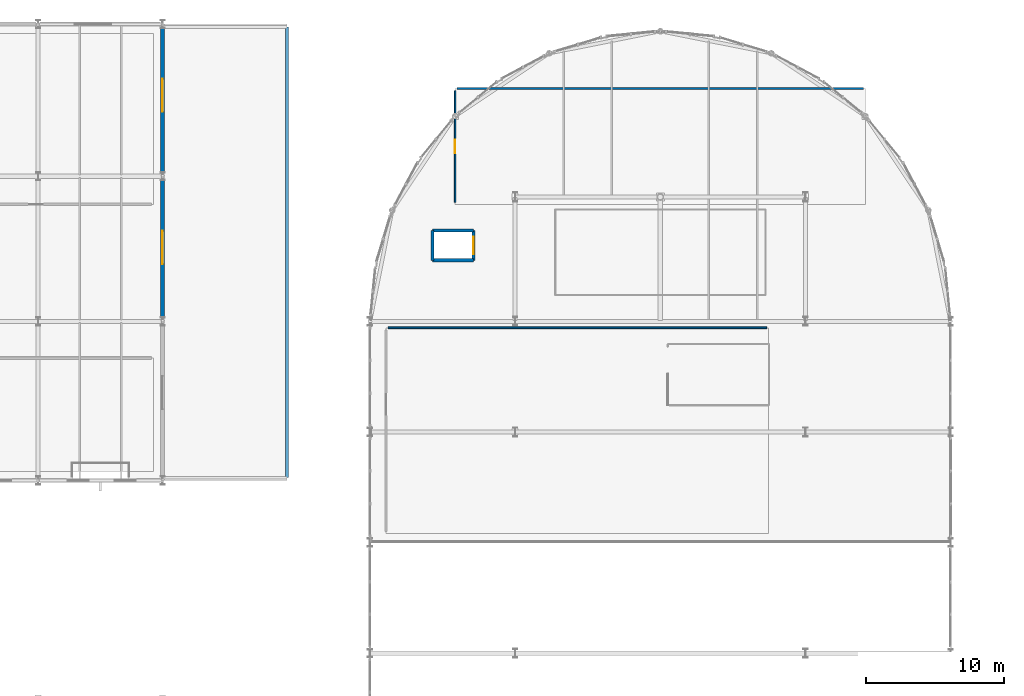
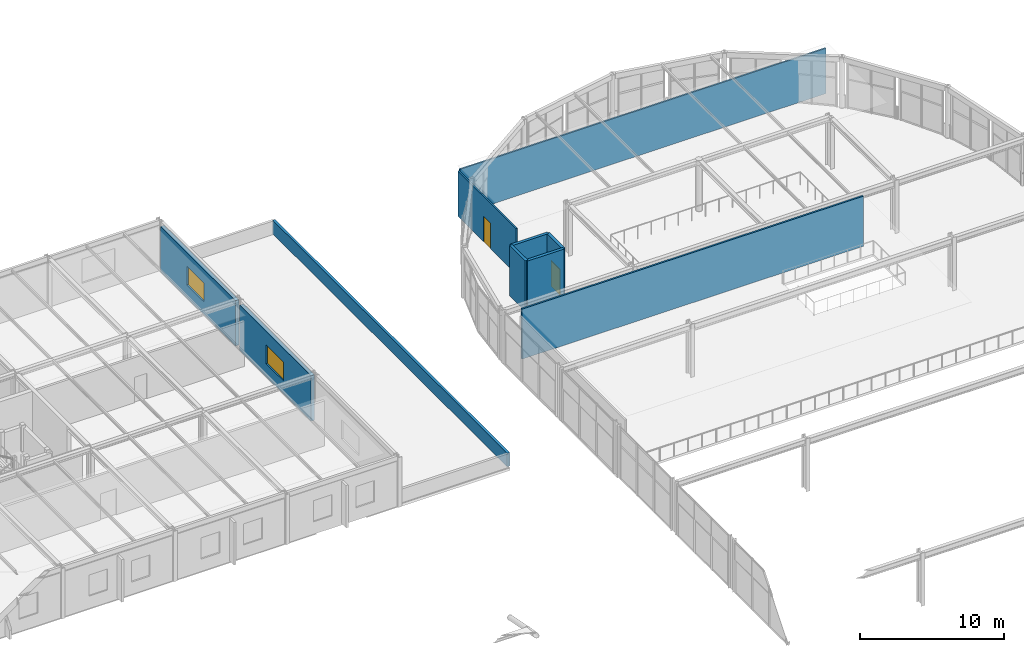
# One storey, part 61 of 105: 10 walls, 2 doors, 2 windows, 4 openings.
"""IFC4 building model written with IfcOpenShell, lengths in metres."""

from ifc_helpers import new_model, si_unit, direction, frame, frame_2d, origin, place, context, subcontext, project, spatial, rectangle, extrude, material, layer, layer_set, type_object, element, fill, save


model = new_model("IFC4")

# Units and contexts
model_context = context("Model", 3, precision=1e-05, world=origin(), true_north=direction((0.0, 1.0)))
body_context = subcontext(model_context, "Body", "Model", "MODEL_VIEW")
ifc_project = project(units=[si_unit("LENGTHUNIT", "METRE"), si_unit("AREAUNIT", "SQUARE_METRE"), si_unit("VOLUMEUNIT", "CUBIC_METRE"), si_unit("PLANEANGLEUNIT", "RADIAN"), si_unit("MASSUNIT", "GRAM", prefix="KILO")], contexts=[model_context])

# Site, building, storey
site_placement = place(None, origin())
site = spatial("IfcSite", under=ifc_project, at=site_placement, CompositionType="ELEMENT")
building_placement = place(site_placement, origin())
building = spatial("IfcBuilding", under=site, at=building_placement, Name="Marlcrest Central Station", CompositionType="ELEMENT")
storey_placement = place(building_placement, frame((0.0, 0.0, 15.0)))
storey = spatial("IfcBuildingStorey", under=building, at=storey_placement, Name="L03", CompositionType="ELEMENT", Elevation=15.0)

# Wall
ifc_material_1 = material(Name="Concrete C40/50", Category="concrete")
ifc_layer_1 = layer(ifc_material_1, 0.199951171875, Name="EP-01")
ifc_layer_set_1 = layer_set([ifc_layer_1], Name="Concrete C40/50")
wall_type_1 = type_object("IfcWallType", Name="EP-01", PredefinedType="PARAPET", material=ifc_layer_set_1)
wall_1_placement = place(storey_placement, frame((81.0, 131.800048828125, 0.0), z_axis=(0.0, 0.0, 1.0), x_axis=(0.0, -1.0, 0.0)))
element("IfcWall", 1, at=wall_1_placement, inside=storey, type_object=wall_type_1, Name="ewall-L03-0207", PredefinedType="PARAPET", context=body_context, shape_type="SweptSolid", body=[
    extrude(rectangle(XDim=32.60009765625, YDim=0.199951171875, at=frame_2d((16.300048828125, 0.0))), origin(), (0.0, 0.0, 1.0), 1.14990234375),
])

# Wall, opening, window
ifc_layer_2 = layer(ifc_material_1, 0.2900390625, Name="EW-02")
ifc_layer_set_2 = layer_set([ifc_layer_2], Name="Concrete C40/50")
wall_type_2 = type_object("IfcWallType", Name="EW-02", PredefinedType="SOLIDWALL", material=ifc_layer_set_2)
wall_2_placement = place(storey_placement, frame((72.0, 120.699951171875, 0.0), z_axis=(0.0, 0.0, 1.0), x_axis=(0.0, -1.0, 0.0)))
wall_2 = element("IfcWall", 2, at=wall_2_placement, inside=storey, type_object=wall_type_2, Name="ewall-L03-0168", PredefinedType="SOLIDWALL", context=body_context, shape_type="SweptSolid", body=[
    extrude(rectangle(XDim=9.89990234375, YDim=0.2900390625, at=frame_2d((4.949951171875, 0.0))), origin(), (0.0, 0.0, 1.0), 3.85009765625),
])
opening_1_placement = place(wall_2_placement, frame((3.64990234375, 0.0, 1.10009765625)))
opening_1 = element("IfcOpeningElement", 3, at=opening_1_placement, cuts=wall_2, Name="Opening WN-02", PredefinedType="OPENING", context=body_context, shape_type="SweptSolid", body=[
    extrude(rectangle(XDim=2.39990234375, YDim=1.60009765625, at=frame_2d((1.199951171875, 0.800048828125))), frame((0.0, 0.155029296875, 0.0), z_axis=(0.0, -1.0, 0.0), x_axis=(1.0, 0.0, 0.0)), (0.0, 0.0, 1.0), 0.31005859375),
])
ifc_material_2 = material(Name="Thermally broken bronze-anodised aluminium and laminated low-E glass", Category="aluminium")
window_type = type_object("IfcWindowType", Name="WN-02", PartitioningType="SINGLE_PANEL", PredefinedType="WINDOW", material=ifc_material_2)
window_1_placement = place(opening_1_placement, origin())
window_1 = element("IfcWindow", 4, at=window_1_placement, inside=storey, type_object=window_type, Name="ewin-L03-0131", OverallHeight=1.60009765625, OverallWidth=2.39990234375, PartitioningType="SINGLE_PANEL", PredefinedType="WINDOW", context=body_context, shape_type="SweptSolid", body=[
    extrude(rectangle(XDim=2.39990234375, YDim=1.60009765625, at=frame_2d((1.199951171875, 0.800048828125))), frame((0.0, 0.030029296875, 0.0), z_axis=(0.0, -1.0, 0.0), x_axis=(1.0, 0.0, 0.0)), (0.0, 0.0, 1.0), 0.06005859375),
])
fill(opening_1, window_1)

wall_3_placement = place(storey_placement, frame((72.0, 131.699951171875, 0.0), z_axis=(0.0, 0.0, 1.0), x_axis=(0.0, -1.0, 0.0)))
wall_3 = element("IfcWall", 5, at=wall_3_placement, inside=storey, type_object=wall_type_2, Name="ewall-L03-0169", PredefinedType="SOLIDWALL", context=body_context, shape_type="SweptSolid", body=[
    extrude(rectangle(XDim=10.39990234375, YDim=0.2900390625, at=frame_2d((5.199951171875, 0.0))), origin(), (0.0, 0.0, 1.0), 3.85009765625),
])
opening_2_placement = place(wall_3_placement, frame((3.64990234375, 0.0, 1.10009765625)))
opening_2 = element("IfcOpeningElement", 6, at=opening_2_placement, cuts=wall_3, Name="Opening WN-02", PredefinedType="OPENING", context=body_context, shape_type="SweptSolid", body=[
    extrude(rectangle(XDim=2.39990234375, YDim=1.60009765625, at=frame_2d((1.199951171875, 0.800048828125))), frame((0.0, 0.155029296875, 0.0), z_axis=(0.0, -1.0, 0.0), x_axis=(1.0, 0.0, 0.0)), (0.0, 0.0, 1.0), 0.31005859375),
])
window_2_placement = place(opening_2_placement, origin())
window_2 = element("IfcWindow", 7, at=window_2_placement, inside=storey, type_object=window_type, Name="ewin-L03-0132", OverallHeight=1.60009765625, OverallWidth=2.39990234375, PartitioningType="SINGLE_PANEL", PredefinedType="WINDOW", context=body_context, shape_type="SweptSolid", body=[
    extrude(rectangle(XDim=2.39990234375, YDim=1.60009765625, at=frame_2d((1.199951171875, 0.800048828125))), frame((0.0, 0.030029296875, 0.0), z_axis=(0.0, -1.0, 0.0), x_axis=(1.0, 0.0, 0.0)), (0.0, 0.0, 1.0), 0.06005859375),
])
fill(opening_2, window_2)

# Wall, opening, door
ifc_material_3 = material(Name="Acoustic steel-stud gypsum board partition", Category="steel")
ifc_layer_3 = layer(ifc_material_3, 0.1201171875, Name="PT-01")
ifc_layer_set_3 = layer_set([ifc_layer_3], Name="Acoustic steel-stud gypsum board partition")
wall_type_3 = type_object("IfcWallType", Name="PT-01", PredefinedType="PARTITIONING", material=ifc_layer_set_3)
wall_4_placement = place(storey_placement, frame((93.159912109375, 127.18994140625, 0.0), z_axis=(0.0, 0.0, 1.0), x_axis=(0.0, -1.0, 0.0)))
wall_4 = element("IfcWall", 8, at=wall_4_placement, inside=storey, type_object=wall_type_3, Name="iwall-L03-00168", PredefinedType="PARTITIONING", context=body_context, shape_type="SweptSolid", body=[
    extrude(rectangle(XDim=8.079833984375, YDim=0.1201171875, at=frame_2d((4.0400390625, 0.0))), origin(), (0.0, 0.0, 1.0), 3.844970703125),
])
opening_3_placement = place(wall_4_placement, frame((3.5400390625, 0.0, 0.0)))
opening_3 = element("IfcOpeningElement", 9, at=opening_3_placement, cuts=wall_4, Name="Opening ID-02", PredefinedType="OPENING", context=body_context, shape_type="SweptSolid", body=[
    extrude(rectangle(XDim=1.0, YDim=2.14990234375, at=frame_2d((0.5, 1.074951171875))), frame((0.0, 0.070068359375, 0.0), z_axis=(0.0, -1.0, 0.0), x_axis=(1.0, 0.0, 0.0)), (0.0, 0.0, 1.0), 0.14013671875),
])
ifc_material_4 = material(Name="Solid-core hardwood office door", Category="wood")
door_type_1 = type_object("IfcDoorType", Name="ID-02", OperationType="NOTDEFINED", PredefinedType="DOOR", material=ifc_material_4)
door_1_placement = place(opening_3_placement, origin())
door_1 = element("IfcDoor", 10, at=door_1_placement, inside=storey, type_object=door_type_1, Name="L03-V2N2 0095", OperationType="SINGLE_SWING_RIGHT", OverallHeight=2.14990234375, OverallWidth=1.0, PredefinedType="DOOR", context=body_context, shape_type="SweptSolid", body=[
    extrude(rectangle(XDim=1.0, YDim=2.14990234375, at=frame_2d((0.5, 1.074951171875))), frame((0.0, 0.02490234375, 0.0), z_axis=(0.0, -1.0, 0.0), x_axis=(1.0, 0.0, 0.0)), (0.0, 0.0, 1.0), 0.050048828125),
])
fill(opening_3, door_1)

# Walls
wall_5_placement = place(storey_placement, frame((93.31005859375, 127.340087890625, 0.0), z_axis=(0.0, 0.0, 1.0), x_axis=(1.0, 0.0, 0.0)))
element("IfcWall", 11, at=wall_5_placement, inside=storey, type_object=wall_type_3, Name="iwall-L03-00169", PredefinedType="PARTITIONING", context=body_context, shape_type="SweptSolid", body=[
    extrude(rectangle(XDim=29.3798828125, YDim=0.1201171875, at=frame_2d((14.68994140625, 0.0))), origin(), (0.0, 0.0, 1.0), 3.844970703125),
])
ifc_material_5 = material(Name="Acoustic double-stud partition")
ifc_layer_4 = layer(ifc_material_5, 0.139892578125, Name="PT-02")
ifc_layer_set_4 = layer_set([ifc_layer_4], Name="Acoustic double-stud partition")
wall_type_4 = type_object("IfcWallType", Name="PT-02", PredefinedType="PARTITIONING", material=ifc_layer_set_4)
wall_6_placement = place(storey_placement, frame((88.31005859375, 110.0400390625, 0.0), z_axis=(0.0, 0.0, 1.0), x_axis=(1.0, 0.0, 0.0)))
element("IfcWall", 12, at=wall_6_placement, inside=storey, type_object=wall_type_4, Name="iwall-L03-00167", PredefinedType="PARTITIONING", context=body_context, shape_type="SweptSolid", body=[
    extrude(rectangle(XDim=27.3798828125, YDim=0.139892578125, at=frame_2d((13.68994140625, 0.0))), origin(), (0.0, 0.0, 1.0), 4.25),
])
ifc_layer_5 = layer(ifc_material_1, 0.22998046875, Name="SHW-01")
ifc_layer_set_5 = layer_set([ifc_layer_5], Name="Concrete C40/50")
wall_type_5 = type_object("IfcWallType", Name="SHW-01", PredefinedType="SOLIDWALL", material=ifc_layer_set_5)
for number, where, z_axis, x_axis, name in (
    (13, (91.52001953125, 117.080078125, 0.0), (0.0, 0.0, 1.0), (1.0, 0.0, 0.0), "iwall-L03-00311"),
    (14, (94.47998046875, 114.919921875, 0.0), (0.0, 0.0, 1.0), (-1.0, 0.0, 0.0), "iwall-L03-00312"),
):
    element("IfcWall", number, at=place(storey_placement, frame(where, z_axis=z_axis, x_axis=x_axis)), inside=storey, type_object=wall_type_5, Name=name, PredefinedType="SOLIDWALL", context=body_context, shape_type="SweptSolid", body=[
        extrude(rectangle(XDim=2.9599609375, YDim=0.22998046875, at=frame_2d((1.47998046875, 0.0))), origin(), (0.0, 0.0, 1.0), 4.260009765625),
    ])
wall_7_placement = place(storey_placement, frame((91.52001953125, 114.919921875, 0.0), z_axis=(0.0, 0.0, 1.0), x_axis=(0.0, 1.0, 0.0)))
element("IfcWall", 15, at=wall_7_placement, inside=storey, type_object=wall_type_5, Name="iwall-L03-00313", PredefinedType="SOLIDWALL", context=body_context, shape_type="SweptSolid", body=[
    extrude(rectangle(XDim=2.16015625, YDim=0.22998046875, at=frame_2d((1.080078125, 0.0))), origin(), (0.0, 0.0, 1.0), 4.260009765625),
])

# Wall, opening, door
wall_8_placement = place(storey_placement, frame((94.47998046875, 117.080078125, 0.0), z_axis=(0.0, 0.0, 1.0), x_axis=(0.0, -1.0, 0.0)))
wall_8 = element("IfcWall", 16, at=wall_8_placement, inside=storey, type_object=wall_type_5, Name="iwall-L03-00314", PredefinedType="SOLIDWALL", context=body_context, shape_type="SweptSolid", body=[
    extrude(rectangle(XDim=2.16015625, YDim=0.22998046875, at=frame_2d((1.080078125, 0.0))), origin(), (0.0, 0.0, 1.0), 4.260009765625),
])
opening_4_placement = place(wall_8_placement, frame((0.455078125, 0.0, 0.0)))
opening_4 = element("IfcOpeningElement", 17, at=opening_4_placement, cuts=wall_8, Name="Opening LD-02", PredefinedType="OPENING", context=body_context, shape_type="SweptSolid", body=[
    extrude(rectangle(XDim=1.25, YDim=2.199951171875, at=frame_2d((0.625, 1.10009765625))), frame((0.0, 0.125, 0.0), z_axis=(0.0, -1.0, 0.0), x_axis=(1.0, 0.0, 0.0)), (0.0, 0.0, 1.0), 0.25),
])
ifc_material_6 = material(Name="Stainless steel stretcher/firefighting lift landing door", Category="steel")
door_type_2 = type_object("IfcDoorType", Name="LD-02", OperationType="DOUBLE_DOOR_SLIDING", PredefinedType="DOOR", material=ifc_material_6)
door_2_placement = place(opening_4_placement, origin())
door_2 = element("IfcDoor", 18, at=door_2_placement, inside=storey, type_object=door_type_2, Name="LF-C2 Lift Landing Door 0148", OperationType="DOUBLE_DOOR_SLIDING", OverallHeight=2.199951171875, OverallWidth=1.25, PredefinedType="DOOR", context=body_context, shape_type="SweptSolid", body=[
    extrude(rectangle(XDim=1.25, YDim=2.199951171875, at=frame_2d((0.625, 1.10009765625))), frame((0.0, 0.02490234375, 0.0), z_axis=(0.0, -1.0, 0.0), x_axis=(1.0, 0.0, 0.0)), (0.0, 0.0, 1.0), 0.050048828125),
])
fill(opening_4, door_2)

save(model, "model.ifc")
